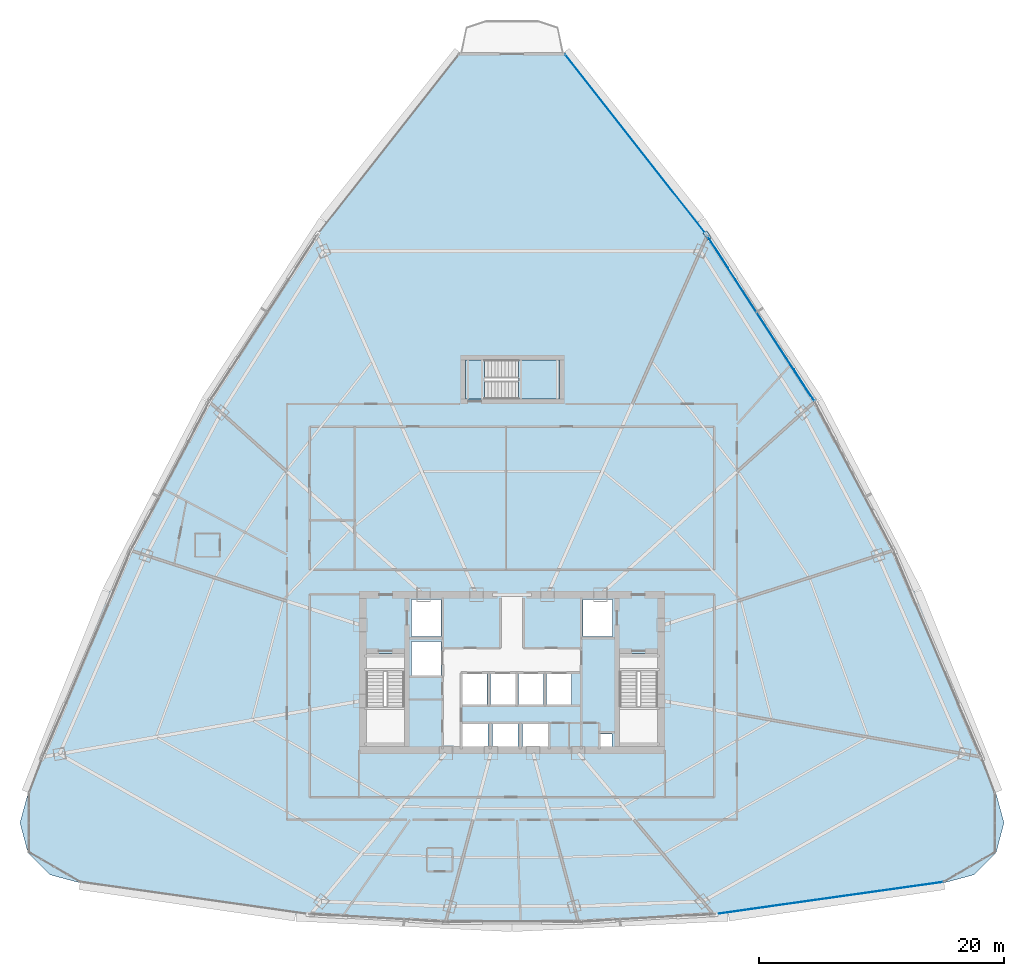
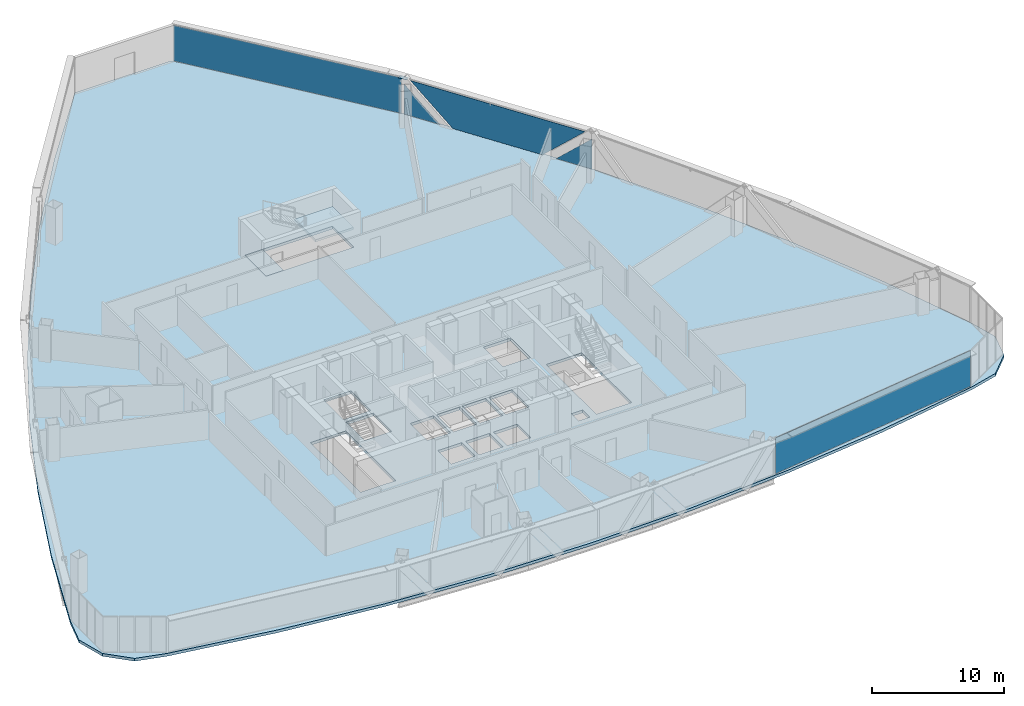
# One storey, part 31 of 41: 6 plates, 3 slabs, 4 elements without a shape of their own.
"""IFC4 building model written with IfcOpenShell, lengths in metres."""

from ifc_helpers import new_model, si_unit, direction, frame, origin, origin_2d, place, context, subcontext, project, spatial, polyline, rectangle, outline, extrude, source, transform, mapped, material, layer, layer_set, type_object, element, aggregate, save


model = new_model("IFC4")

# Units and contexts
model_context = context("Model", 3, precision=1e-05, world=origin(), true_north=direction((0.0, 1.0)))
body_context = subcontext(model_context, "Body", "Model", "MODEL_VIEW")
ifc_project = project(units=[si_unit("LENGTHUNIT", "METRE"), si_unit("AREAUNIT", "SQUARE_METRE"), si_unit("VOLUMEUNIT", "CUBIC_METRE"), si_unit("PLANEANGLEUNIT", "RADIAN"), si_unit("MASSUNIT", "GRAM", prefix="KILO"), si_unit("THERMODYNAMICTEMPERATUREUNIT", "KELVIN"), si_unit("POWERUNIT", "WATT")], contexts=[model_context])

# Site, building, storey
site_placement = place(None, origin())
site = spatial("IfcSite", under=ifc_project, at=site_placement, CompositionType="ELEMENT")
building_placement = place(site_placement, origin())
building = spatial("IfcBuilding", under=site, at=building_placement, Name="Yunzhuo Pagoda Commons", CompositionType="ELEMENT")
storey_placement = place(building_placement, frame((0.0, 0.0, 155.590087890625)))
storey = spatial("IfcBuildingStorey", under=building, at=storey_placement, Name="L39", CompositionType="ELEMENT", Elevation=155.590087890625)

# Curtain wall, plates
ifc_material_1 = material(Name="Anodized aluminium 6063-T6", Category="aluminium")
ifc_layer_1 = layer(ifc_material_1, 0.14990234375)
ifc_layer_set_1 = layer_set([ifc_layer_1], Name="Anodized aluminium 6063-T6")
curtain_wall_type = type_object("IfcCurtainWallType", Name="CW-MID Mid-Zone Ribbon Curtain Wall", PredefinedType="NOTDEFINED", material=ifc_layer_set_1)
curtain_wall_1_placement = place(storey_placement, origin())
curtain_wall_1 = element("IfcCurtainWall", 1, at=curtain_wall_1_placement, inside=storey, type_object=curtain_wall_type, Name="L39 curtain wall CW-L39-F2B4", PredefinedType="NOTDEFINED")
ifc_material_2 = material(Name="Tempered low-e double glazing", Category="glass")
ifc_layer_2 = layer(ifc_material_2, 0.028076171875)
ifc_layer_set_2 = layer_set([ifc_layer_2], Name="Tempered low-e double glazing")
plate_type_1 = type_object("IfcPlateType", Name="CW-MID-P Low-E Double Glazing 28", PredefinedType="CURTAIN_PANEL", material=ifc_layer_set_2)
plate_1_placement = place(storey_placement, frame((71.87646484375, 57.322021484375, 1.453125), z_axis=(0.839392571637, 0.543525630197, 0.0), x_axis=(-0.543525630197, 0.839392571637, 0.0)))
plate_1 = element("IfcPlate", 2, at=plate_1_placement, type_object=plate_type_1, Name="CW panel 1.1 lite 1", PredefinedType="CURTAIN_PANEL", context=body_context, shape_type="SweptSolid", body=[
    extrude(outline(polyline([(-1.535888671875, -1.398193359375), (1.535888671875, -1.398193359375), (-1.535888671875, 1.398193359375), (-1.535888671875, -1.398193359375)])), origin(), (0.0, 0.0, 1.0), 0.028076171875),
])
plate_2_placement = place(storey_placement, frame((68.324462890625, 62.75244140625, 1.7099609375), z_axis=(0.839392571637, 0.543525630197, 0.0), x_axis=(-0.543525630197, 0.839392571637, 0.0)))
plate_2 = element("IfcPlate", 3, at=plate_2_placement, type_object=plate_type_1, Name="CW panel 1.1 lite 2", PredefinedType="CURTAIN_PANEL", context=body_context, shape_type="SweptSolid", body=[
    extrude(outline(polyline([(-7.459716796875, 1.655029296875), (-3.823974609375, -1.655029296875), (3.823974609375, -1.655029296875), (7.459716796875, 1.655029296875), (-7.459716796875, 1.655029296875)])), origin(), (0.0, 0.0, 1.0), 0.028076171875),
])
plate_3_placement = place(storey_placement, frame((64.82275390625, 68.21533203125, 1.453125), z_axis=(0.839392571637, 0.543525630197, 0.0), x_axis=(-0.543525630197, 0.839392571637, 0.0)))
plate_3 = element("IfcPlate", 4, at=plate_3_placement, type_object=plate_type_1, Name="CW panel 1.1 lite 3", PredefinedType="CURTAIN_PANEL", context=body_context, shape_type="SweptSolid", body=[
    extrude(outline(polyline([(-1.535888671875, -1.398193359375), (1.535888671875, -1.398193359375), (1.535888671875, 1.398193359375), (-1.535888671875, -1.398193359375)])), origin(), (0.0, 0.0, 1.0), 0.028076171875),
])
aggregate(curtain_wall_1, [plate_1, plate_2, plate_3])

# Stair, slabs
ifc_material_3 = material(Name="Concrete C40", Category="concrete")
stair_type = type_object("IfcStairType", Name="ST-C3 North Tower Smokeproof Stair ST3", PredefinedType="HALF_TURN_STAIR", material=ifc_material_3)
stair_placement = place(storey_placement, origin())
stair = element("IfcStair", 5, at=stair_placement, inside=storey, type_object=stair_type, Name="L39 North tower smokeproof stair ST3", PredefinedType="HALF_TURN_STAIR")
ifc_layer_3 = layer(ifc_material_3, 0.2041015625)
ifc_layer_set_3 = layer_set([ifc_layer_3], Name="Concrete C40")
slab_type_1 = type_object("IfcSlabType", Name="SL-LND5 North Landing Slab 204", PredefinedType="LANDING", material=ifc_layer_set_3)
slab_1_placement = place(storey_placement, frame((0.0, 0.0, 1.639892578125)))
slab_1 = element("IfcSlab", 6, at=slab_1_placement, type_object=slab_type_1, Name="ST3 landing 1", PredefinedType="LANDING", context=body_context, shape_type="SweptSolid", body=[
    extrude(outline(polyline([(48.550048828125, 56.199951171875), (51.89990234375, 56.199951171875), (51.89990234375, 59.39990234375), (48.550048828125, 59.39990234375), (48.550048828125, 56.199951171875)])), origin(), (0.0, 0.0, 1.0), 0.199951171875),
])
slab_2_placement = place(storey_placement, frame((0.0, 0.0, -0.2001953125)))
slab_2 = element("IfcSlab", 7, at=slab_2_placement, type_object=slab_type_1, Name="ST3 floor landing L39", PredefinedType="LANDING", context=body_context, shape_type="SweptSolid", body=[
    extrude(outline(polyline([(44.199951171875, 56.199951171875), (45.75, 56.199951171875), (45.75, 59.39990234375), (44.199951171875, 59.39990234375), (44.199951171875, 56.199951171875)])), origin(), (0.0, 0.0, 1.0), 0.2001953125),
])
aggregate(stair, [slab_1, slab_2])

# Slab
ifc_layer_4 = layer(ifc_material_3, 0.260009765625)
ifc_layer_set_4 = layer_set([ifc_layer_4], Name="Concrete C40")
slab_type_2 = type_object("IfcSlabType", Name="SL-TWR Typical Tower Floor Slab 260", PredefinedType="FLOOR", material=ifc_layer_set_4)
slab_3_placement = place(storey_placement, frame((0.0, 0.0, -0.260009765625)))
element("IfcSlab", 8, at=slab_3_placement, inside=storey, type_object=slab_type_2, Name="L39 structural floor slab", PredefinedType="FLOOR", context=body_context, shape_type="SweptSolid", body=[
    extrude(outline(polyline([(11.558837890625, 32.330810546875), (15.0478515625, 40.43994140625), (18.908203125, 48.332275390625), (23.139892578125, 56.0078125), (27.742919921875, 63.466796875), (32.717041015625, 70.708984375), (38.0625, 77.734375), (43.779296875, 84.543212890625), (52.220703125, 84.543212890625), (57.9375, 77.734375), (63.282958984375, 70.708984375), (68.257080078125, 63.466796875), (72.860107421875, 56.0078125), (77.091796875, 48.332275390625), (80.9521484375, 40.43994140625), (84.441162109375, 32.330810546875), (87.55908203125, 24.005126953125), (88.2255859375, 21.55859375), (87.57666015625, 19.107666015625), (85.786865234375, 17.3115234375), (83.338134765625, 16.65380859375), (74.503662109375, 15.149169921875), (65.669189453125, 14.074462890625), (56.834716796875, 13.4296875), (48.0, 13.214599609375), (39.165283203125, 13.4296875), (30.330810546875, 14.074462890625), (21.496337890625, 15.149169921875), (12.661865234375, 16.65380859375), (10.213134765625, 17.3115234375), (8.42333984375, 19.107666015625), (7.7744140625, 21.55859375), (8.44091796875, 24.005126953125), (11.558837890625, 32.330810546875)]), holes=[polyline([(46.050048828125, 29.64990234375), (43.949951171875, 29.64990234375), (43.949951171875, 27.60009765625), (46.050048828125, 27.60009765625), (46.050048828125, 29.64990234375)]), polyline([(48.5, 27.60009765625), (48.5, 29.64990234375), (46.39990234375, 29.64990234375), (46.39990234375, 27.60009765625), (48.5, 27.60009765625)]), polyline([(36.10009765625, 27.800048828125), (39.199951171875, 27.800048828125), (39.199951171875, 35.39990234375), (36.10009765625, 35.39990234375), (36.10009765625, 27.800048828125)]), polyline([(45.969970703125, 31.199951171875), (45.969970703125, 33.800048828125), (43.929931640625, 33.800048828125), (43.929931640625, 31.199951171875), (45.969970703125, 31.199951171875)]), polyline([(48.27001953125, 31.199951171875), (48.27001953125, 33.800048828125), (46.22998046875, 33.800048828125), (46.22998046875, 31.199951171875), (48.27001953125, 31.199951171875)]), polyline([(42.199951171875, 33.60009765625), (42.199951171875, 36.39990234375), (39.800048828125, 36.39990234375), (39.800048828125, 33.60009765625), (42.199951171875, 33.60009765625)]), polyline([(42.199951171875, 36.800048828125), (42.199951171875, 39.800048828125), (39.800048828125, 39.800048828125), (39.800048828125, 36.800048828125), (42.199951171875, 36.800048828125)]), polyline([(56.179931640625, 28.800048828125), (55.179931640625, 28.800048828125), (55.179931640625, 27.699951171875), (56.179931640625, 27.699951171875), (56.179931640625, 28.800048828125)]), polyline([(50.949951171875, 27.60009765625), (50.949951171875, 29.64990234375), (48.85009765625, 29.64990234375), (48.85009765625, 27.60009765625), (50.949951171875, 27.60009765625)]), polyline([(56.800048828125, 27.800048828125), (59.89990234375, 27.800048828125), (59.89990234375, 35.39990234375), (56.800048828125, 35.39990234375), (56.800048828125, 27.800048828125)]), polyline([(50.570068359375, 31.199951171875), (50.570068359375, 33.800048828125), (48.530029296875, 33.800048828125), (48.530029296875, 31.199951171875), (50.570068359375, 31.199951171875)]), polyline([(52.8701171875, 31.199951171875), (52.8701171875, 33.800048828125), (50.830078125, 33.800048828125), (50.830078125, 31.199951171875), (52.8701171875, 31.199951171875)]), polyline([(56.199951171875, 36.800048828125), (56.199951171875, 39.800048828125), (53.800048828125, 39.800048828125), (53.800048828125, 36.800048828125), (56.199951171875, 36.800048828125)]), polyline([(51.89990234375, 56.199951171875), (51.89990234375, 59.39990234375), (44.199951171875, 59.39990234375), (44.199951171875, 56.199951171875), (51.89990234375, 56.199951171875)])]), origin(), (0.0, 0.0, 1.0), 0.260009765625),
])

# Plate
ifc_material_4 = material(Name="Structural steel Q355B", Category="steel")
ifc_layer_5 = layer(ifc_material_4, 0.028076171875)
ifc_layer_set_5 = layer_set([ifc_layer_5], Name="Structural steel Q355B")
plate_type_2 = type_object("IfcPlateType", Name="SP-ND1 Lattice Node Cap Plate 800x500x28", PredefinedType="USERDEFINED", material=ifc_layer_set_5)
shared_shape_1 = source(origin(), body_context, "Body", "SweptSolid", [
    extrude(rectangle(XDim=0.699951171875, YDim=0.35009765625, at=origin_2d()), origin(), (0.0, 0.0, 1.0), 0.035888671875),
])
plate_4_placement = place(storey_placement, frame((63.967041015625, 69.5625, 3.3818359375), z_axis=(0.0, 0.0, 1.0), x_axis=(-0.543526101434, 0.8393922665, 0.0)))
element("IfcPlate", 9, at=plate_4_placement, inside=storey, type_object=plate_type_2, Name="L39 setback lattice tie plate F2.3R", ObjectType="STIFFENER_PLATE", PredefinedType="USERDEFINED", context=body_context, shape_type="MappedRepresentation", body=[
    mapped(shared_shape_1, transform((0.0, 0.0, 0.0), scale=1.0)),
])

# Curtain wall, plate
curtain_wall_2_placement = place(storey_placement, origin())
curtain_wall_2 = element("IfcCurtainWall", 10, at=curtain_wall_2_placement, inside=storey, type_object=curtain_wall_type, Name="L39 curtain wall CW-L39-F1B5", PredefinedType="NOTDEFINED")
shared_shape_2 = source(origin(), body_context, "Body", "SweptSolid", [
    extrude(rectangle(XDim=18.81640625, YDim=0.028076171875, at=origin_2d()), origin(), (0.0, 0.0, 1.0), 3.31005859375),
])
plate_5_placement = place(storey_placement, frame((73.922607421875, 15.401123046875, 0.054931640625), z_axis=(0.0, 0.0, 1.0), x_axis=(0.990203780714, 0.13962976996, 0.0)))
plate_5 = element("IfcPlate", 11, at=plate_5_placement, type_object=plate_type_1, Name="CW panel 1.1", PredefinedType="CURTAIN_PANEL", context=body_context, shape_type="MappedRepresentation", body=[
    mapped(shared_shape_2, transform((0.0, 0.0, 0.0), scale=1.0)),
])
aggregate(curtain_wall_2, [plate_5])

curtain_wall_3_placement = place(storey_placement, origin())
curtain_wall_3 = element("IfcCurtainWall", 12, at=curtain_wall_3_placement, inside=storey, type_object=curtain_wall_type, Name="L39 curtain wall CW-L39-F2B5", PredefinedType="NOTDEFINED")
shared_shape_3 = source(origin(), body_context, "Body", "SweptSolid", [
    extrude(rectangle(XDim=18.6806640625, YDim=0.028076171875, at=origin_2d()), origin(), (0.0, 0.0, 1.0), 3.31005859375),
])
plate_6_placement = place(storey_placement, frame((58.1181640625, 77.017333984375, 0.054931640625), z_axis=(0.0, 0.0, 1.0), x_axis=(-0.61725996734, 0.786759259697, 0.0)))
plate_6 = element("IfcPlate", 13, at=plate_6_placement, type_object=plate_type_1, Name="CW panel 1.1", PredefinedType="CURTAIN_PANEL", context=body_context, shape_type="MappedRepresentation", body=[
    mapped(shared_shape_3, transform((0.0, 0.0, 0.0), scale=1.0)),
])
aggregate(curtain_wall_3, [plate_6])

save(model, "model.ifc")
